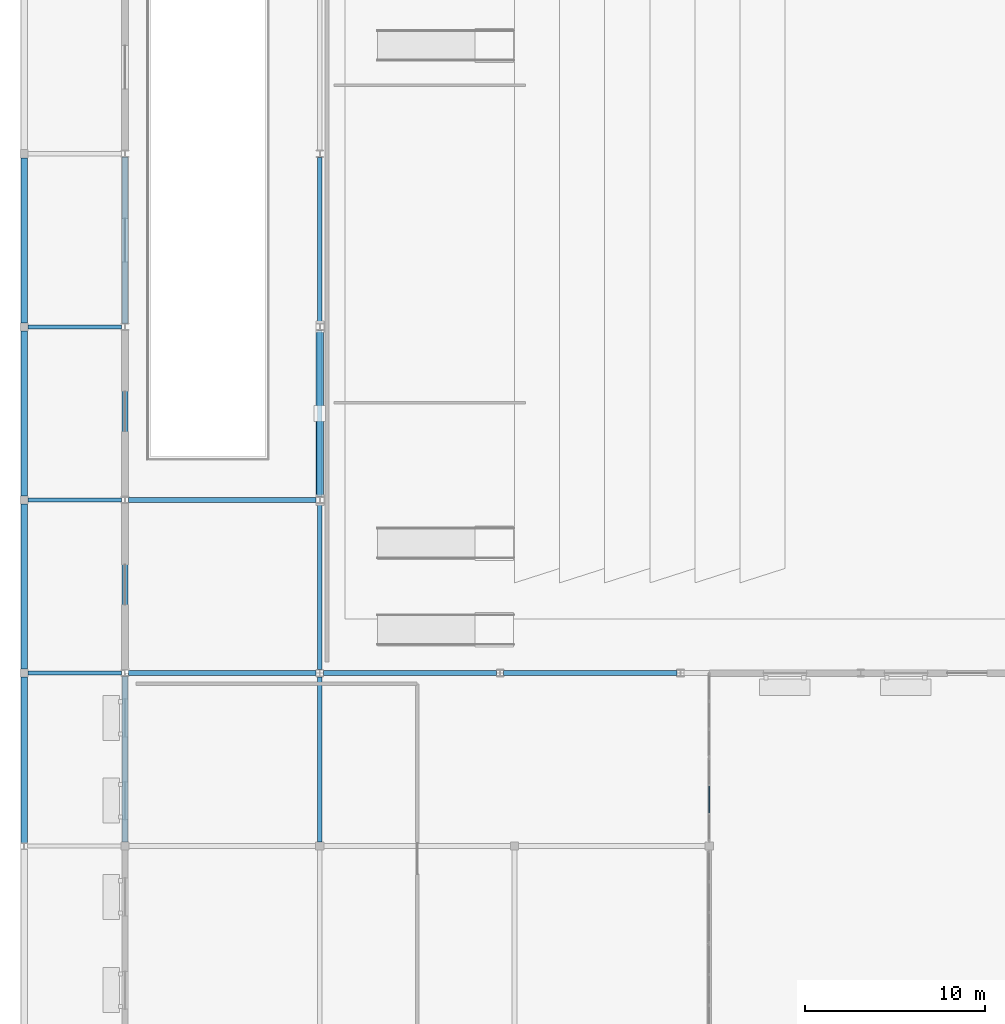
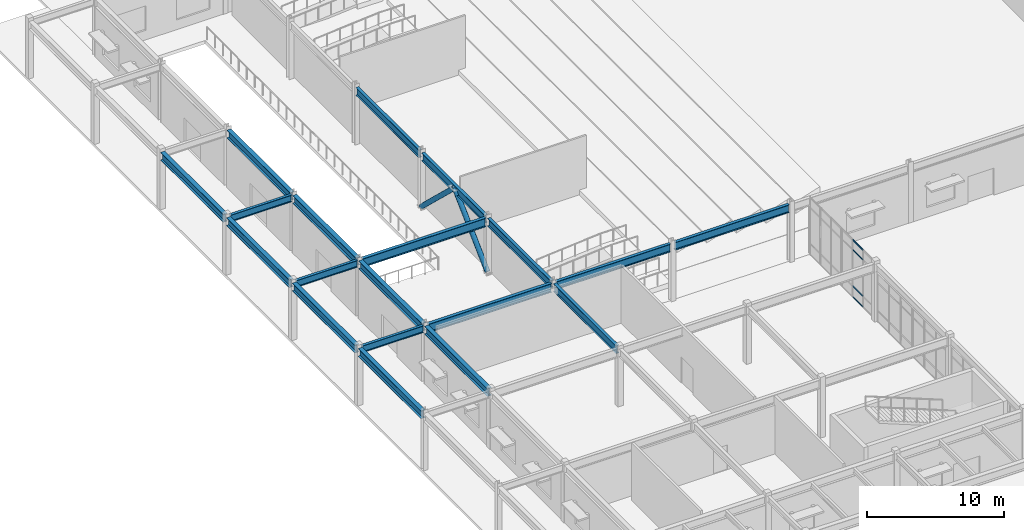
# One storey, part 12 of 54: 19 beams, 6 members, 1 element without a shape of its own.
"""IFC4 building model written with IfcOpenShell, lengths in metres."""

import ifcopenshell
import ifcopenshell.guid

model = None  # the IFC model being written
_history = None  # IfcOwnerHistory: only IFC2X3 demands one
_inside = {}  # id of a spatial element -> (the spatial element, [elements in it])
_under = {}  # id of a project, library or spatial element -> (it, [spatial elements below it])
_declared = {}  # id of a project -> (the project, [libraries it declares])
_typed = {}  # id of a type object -> (the type object, [elements of that type])
_made_of = {}  # id of a material, layer set ... -> (it, [elements and type objects made of it])


def new_model(schema):
    """Start an empty IFC model of exactly this schema.

    Asked for "IFC4X3", IfcOpenShell would pick the latest addendum, in which some entities
    have other attributes; the version numbers below select the first issue.
    IFC2X3 requires an IfcOwnerHistory on every rooted entity: one is made here for all.
    """
    global model, _history
    if schema == "IFC4X3":
        model = ifcopenshell.file(schema_version=(4, 3, 0, 0))
    else:
        model = ifcopenshell.file(schema=schema)
    _inside.clear()
    _under.clear()
    _declared.clear()
    _typed.clear()
    _made_of.clear()
    _history = None
    if model.schema == "IFC2X3":
        org = make("IfcOrganization", Name="unknown")
        user = make(
            "IfcPersonAndOrganization",
            ThePerson=make("IfcPerson", FamilyName="unknown"),
            TheOrganization=org,
        )
        app = make(
            "IfcApplication",
            ApplicationDeveloper=org,
            Version="unknown",
            ApplicationFullName="unknown",
            ApplicationIdentifier="unknown",
        )
        _history = make(
            "IfcOwnerHistory",
            OwningUser=user,
            OwningApplication=app,
            ChangeAction="ADDED",
            CreationDate=0,
        )
    return model


def make(cls, **values):
    """One entity of the class cls with the attributes given. An attribute that is None is left unset."""
    return model.create_entity(
        cls, **{name: value for name, value in values.items() if value is not None}
    )


def rooted(cls, **values):
    """An entity with a GlobalId (a new one), such as an element, a storey or a relation."""
    return make(cls, GlobalId=ifcopenshell.guid.new(), OwnerHistory=_history, **values)


def si_unit(unit_type, name, prefix=None):
    """IfcSIUnit, for example si_unit("LENGTHUNIT", "METRE", prefix="MILLI")."""
    return make("IfcSIUnit", UnitType=unit_type, Prefix=prefix, Name=name)


def assignment(units):
    """IfcUnitAssignment: the units of a project."""
    return None if units is None else make("IfcUnitAssignment", Units=units)


def point(xyz):
    """IfcCartesianPoint."""
    return None if xyz is None else make("IfcCartesianPoint", Coordinates=xyz)


def direction(xyz):
    """IfcDirection."""
    return None if xyz is None else make("IfcDirection", DirectionRatios=xyz)


def frame(location, z_axis=None, x_axis=None):
    """IfcAxis2Placement3D, a coordinate frame: its origin and axes. An axis left out is left unset."""
    return make(
        "IfcAxis2Placement3D",
        Location=point(location),
        Axis=direction(z_axis),
        RefDirection=direction(x_axis),
    )


def frame_2d(location, x_axis=None):
    """IfcAxis2Placement2D, a coordinate frame in the plane: its origin and x axis."""
    return make(
        "IfcAxis2Placement2D", Location=point(location), RefDirection=direction(x_axis)
    )


def origin():
    """The frame at (0, 0, 0) with its axes left unset."""
    return frame((0.0, 0.0, 0.0))


def origin_2d():
    """The frame at (0, 0) in the plane with its x axis left unset."""
    return frame_2d((0.0, 0.0))


def place(relative_to, where):
    """IfcLocalPlacement: puts the frame where relative to a parent placement (None: the world)."""
    return make(
        "IfcLocalPlacement", PlacementRelTo=relative_to, RelativePlacement=where
    )


def context(
    kind, dimensions, precision=None, world=None, true_north=None, identifier=None
):
    """IfcGeometricRepresentationContext, for example the 3D "Model" context."""
    return make(
        "IfcGeometricRepresentationContext",
        ContextIdentifier=identifier,
        ContextType=kind,
        CoordinateSpaceDimension=dimensions,
        Precision=precision,
        WorldCoordinateSystem=world,
        TrueNorth=true_north,
    )


def subcontext(parent, identifier, kind, view, scale=None):
    """IfcGeometricRepresentationSubContext, for example "Body" below "Model"."""
    return make(
        "IfcGeometricRepresentationSubContext",
        ContextIdentifier=identifier,
        ContextType=kind,
        ParentContext=parent,
        TargetScale=scale,
        TargetView=view,
    )


def project(units=None, contexts=None):
    """IfcProject with its units and contexts."""
    return rooted(
        "IfcProject",
        Name="project",
        RepresentationContexts=contexts,
        UnitsInContext=assignment(units),
    )


def spatial(cls, under=None, at=None, **own):
    """A site, building, storey or space (cls), placed at a placement, below another one or the project."""
    s = rooted(cls, ObjectPlacement=at, **own)
    if under is not None:
        _under.setdefault(under.id(), (under, []))[1].append(s)
    return s


def profile(cls, at=None, kind="AREA", **sizes):
    """A parametric profile (cls). Its sizes go by their IFC names, for example OverallWidth=200.0."""
    return make(cls, ProfileType=kind, Position=at, **sizes)


def rectangle(**sizes):
    """IfcRectangleProfileDef."""
    return profile("IfcRectangleProfileDef", **sizes)


def hollow_circle(**sizes):
    """IfcCircleHollowProfileDef."""
    return profile("IfcCircleHollowProfileDef", **sizes)


def i_section(**sizes):
    """IfcIShapeProfileDef."""
    return profile("IfcIShapeProfileDef", **sizes)


def extrude(swept, where, along, depth):
    """IfcExtrudedAreaSolid: the profile swept, set in the frame where, extruded along a direction by depth."""
    return make(
        "IfcExtrudedAreaSolid",
        SweptArea=swept,
        Position=where,
        ExtrudedDirection=direction(along),
        Depth=depth,
    )


def shape(context_of_items, identifier, shape_type, items):
    """IfcShapeRepresentation: the items that make up one representation, for example the "Body"."""
    return make(
        "IfcShapeRepresentation",
        ContextOfItems=context_of_items,
        RepresentationIdentifier=identifier,
        RepresentationType=shape_type,
        Items=items,
    )


def material(Name=None, Category=None):
    """IfcMaterial."""
    return make("IfcMaterial", Name=Name, Category=Category)


def material_profile(
    of_material, cross_section, Name=None, Category=None, Priority=None
):
    """IfcMaterialProfile: a cross section and its material."""
    return make(
        "IfcMaterialProfile",
        Name=Name,
        Material=of_material,
        Profile=cross_section,
        Priority=Priority,
        Category=Category,
    )


def profile_set(profiles, Name=None, composite=None):
    """IfcMaterialProfileSet."""
    return make(
        "IfcMaterialProfileSet",
        Name=Name,
        MaterialProfiles=profiles,
        CompositeProfile=composite,
    )


def made_of(thing, what):
    """Note that an element or type object is made of a material, layer set ...; save() writes the relation."""
    if what is not None:
        _made_of.setdefault(what.id(), (what, []))[1].append(thing)
    return thing


def type_object(cls, material=None, **own):
    """A type object (cls), such as IfcWallType, which elements share."""
    return made_of(rooted(cls, **own), material)


def element(
    cls,
    number,
    at=None,
    inside=None,
    cuts=None,
    type_object=None,
    material=None,
    context=None,
    identifier="Body",
    shape_type=None,
    held_by="IfcProductDefinitionShape",
    body=None,
    shapes=None,
    **own,
):
    """One element of the class cls, such as IfcWall. Its Tag is "e" and its number.

    at: its placement. inside: the storey or other place that contains it. cuts: it is an
    opening in that element (IfcRelVoidsElement). A single representation is given by context,
    identifier, shape_type and body (its items); several are given by shapes. held_by: the class
    of the entity that holds the representations. save() writes the other relations.
    """
    e = rooted(cls, Tag="e%d" % number, ObjectPlacement=at, **own)
    if body is not None:
        shapes = [shape(context, identifier, shape_type, body)]
    if shapes is not None:
        e.Representation = make(held_by, Representations=shapes)
    if inside is not None:
        _inside.setdefault(inside.id(), (inside, []))[1].append(e)
    if cuts is not None:
        rooted(
            "IfcRelVoidsElement", RelatingBuildingElement=cuts, RelatedOpeningElement=e
        )
    if type_object is not None:
        _typed.setdefault(type_object.id(), (type_object, []))[1].append(e)
    return made_of(e, material)


def aggregate(whole, parts):
    """IfcRelAggregates: a whole, such as a stair, and the parts it consists of."""
    return rooted("IfcRelAggregates", RelatingObject=whole, RelatedObjects=parts)


def save(model, path):
    """Write the relations noted so far, then the file.

    IfcRelAggregates (storeys below a building ...), IfcRelContainedInSpatialStructure (elements
    in a storey), IfcRelDefinesByType, IfcRelAssociatesMaterial and IfcRelDeclares: one each for
    every whole, place, type object, material and project.
    """
    for whole, parts in _under.values():
        aggregate(whole, parts)
    for where, things in _inside.values():
        rooted(
            "IfcRelContainedInSpatialStructure",
            RelatedElements=things,
            RelatingStructure=where,
        )
    for kind, things in _typed.values():
        rooted("IfcRelDefinesByType", RelatedObjects=things, RelatingType=kind)
    for what, things in _made_of.values():
        rooted("IfcRelAssociatesMaterial", RelatedObjects=things, RelatingMaterial=what)
    for by, libraries in _declared.values():
        rooted("IfcRelDeclares", RelatingContext=by, RelatedDefinitions=libraries)
    model.write(path)


model = new_model("IFC4")

# Units and contexts
model_context = context("Model", 3, precision=1e-05, world=origin(), true_north=direction((0.0, 1.0)))
body_context = subcontext(model_context, "Body", "Model", "MODEL_VIEW")
ifc_project = project(units=[si_unit("LENGTHUNIT", "METRE"), si_unit("AREAUNIT", "SQUARE_METRE"), si_unit("VOLUMEUNIT", "CUBIC_METRE"), si_unit("PLANEANGLEUNIT", "RADIAN"), si_unit("MASSUNIT", "GRAM", prefix="KILO")], contexts=[model_context])

# Site, building, storey
site_placement = place(None, origin())
site = spatial("IfcSite", under=ifc_project, at=site_placement, CompositionType="ELEMENT")
building_placement = place(site_placement, origin())
building = spatial("IfcBuilding", under=site, at=building_placement, Name="Veldera Park Congress Hotel", CompositionType="ELEMENT")
storey_placement = place(building_placement, origin())
storey = spatial("IfcBuildingStorey", under=building, at=storey_placement, Name="L00", CompositionType="ELEMENT", Elevation=0.0)

# Beams
ifc_material_1 = material(Name="Steel ASTM A992 Gr.50", Category="steel")
ifc_material_profile_1 = material_profile(ifc_material_1, i_section(OverallWidth=0.22900390625, OverallDepth=0.612060546875, WebThickness=0.011962890625, FlangeThickness=0.01953125, at=origin_2d()), Name="W24X84")
ifc_profile_set_1 = profile_set([ifc_material_profile_1], Name="Steel ASTM A992 Gr.50")
beam_type_1 = type_object("IfcBeamType", Name="BM-W24", PredefinedType="BEAM", material=ifc_profile_set_1)
for number, where, z_axis, x_axis, name in (
    (1, (-83.574951171875, -21.0, 4.81396484375), (1.0, 0.0, 0.0), (0.0, 1.0, 0.0), "L00 Girder BM-W24 299"),
    (2, (-83.574951171875, -11.39990234375, 4.81396484375), (1.0, 0.0, 0.0), (0.0, 1.0, 0.0), "L00 Girder BM-W24 310"),
    (3, (-83.574951171875, -1.800048828125, 4.81396484375), (1.0, 0.0, 0.0), (0.0, 1.0, 0.0), "L00 Girder BM-W24 314"),
):
    element("IfcBeam", number, at=place(storey_placement, frame(where, z_axis=z_axis, x_axis=x_axis)), inside=storey, type_object=beam_type_1, Name=name, PredefinedType="BEAM", context=body_context, shape_type="SweptSolid", body=[
        extrude(i_section(OverallWidth=0.22900390625, OverallDepth=0.612060546875, WebThickness=0.011962890625, FlangeThickness=0.01953125, at=origin_2d()), origin(), (0.0, 0.0, 1.0), 5.177001953125),
    ])
ifc_material_profile_2 = material_profile(ifc_material_1, i_section(OverallWidth=0.256103515625, OverallDepth=0.693115234375, WebThickness=0.014404296875, FlangeThickness=0.023681640625, at=origin_2d()), Name="W27X114")
ifc_profile_set_2 = profile_set([ifc_material_profile_2], Name="Steel ASTM A992 Gr.50")
beam_type_2 = type_object("IfcBeamType", Name="BM-W27", PredefinedType="BEAM", material=ifc_profile_set_2)
beam_1_placement = place(storey_placement, frame((-67.39990234375, -30.375, 4.7734375), z_axis=(0.0, 1.0, 0.0), x_axis=(-1.0, 0.0, 0.0)))
element("IfcBeam", 4, at=beam_1_placement, inside=storey, type_object=beam_type_2, Name="L00 Girder BM-W27 405", PredefinedType="BEAM", context=body_context, shape_type="SweptSolid", body=[
    extrude(i_section(OverallWidth=0.256103515625, OverallDepth=0.693115234375, WebThickness=0.014404296875, FlangeThickness=0.023681640625, at=origin_2d()), origin(), (0.0, 0.0, 1.0), 9.1669921875),
])
beam_2_placement = place(storey_placement, frame((-67.39990234375, -20.7919921875, 4.7734375), z_axis=(0.0, 1.0, 0.0), x_axis=(-1.0, 0.0, 0.0)))
element("IfcBeam", 5, at=beam_2_placement, inside=storey, type_object=beam_type_2, Name="L00 Girder BM-W27 406", PredefinedType="BEAM", context=body_context, shape_type="SweptSolid", body=[
    extrude(i_section(OverallWidth=0.256103515625, OverallDepth=0.693115234375, WebThickness=0.014404296875, FlangeThickness=0.023681640625, at=origin_2d()), origin(), (0.0, 0.0, 1.0), 9.1884765625),
])
beam_3_placement = place(storey_placement, frame((-67.39990234375, -11.196533203125, 4.7734375), z_axis=(0.0, 1.0, 0.0), x_axis=(-1.0, 0.0, 0.0)))
element("IfcBeam", 6, at=beam_3_placement, inside=storey, type_object=beam_type_2, Name="L00 Girder BM-W27 407", PredefinedType="BEAM", context=body_context, shape_type="SweptSolid", body=[
    extrude(i_section(OverallWidth=0.256103515625, OverallDepth=0.693115234375, WebThickness=0.014404296875, FlangeThickness=0.023681640625, at=origin_2d()), origin(), (0.0, 0.0, 1.0), 9.193115234375),
])
beam_4_placement = place(storey_placement, frame((-67.39990234375, -1.596435546875, 4.7734375), z_axis=(0.0, 1.0, 0.0), x_axis=(-1.0, 0.0, 0.0)))
element("IfcBeam", 7, at=beam_4_placement, inside=storey, type_object=beam_type_2, Name="L00 Girder BM-W27 408", PredefinedType="BEAM", context=body_context, shape_type="SweptSolid", body=[
    extrude(i_section(OverallWidth=0.256103515625, OverallDepth=0.693115234375, WebThickness=0.014404296875, FlangeThickness=0.023681640625, at=origin_2d()), origin(), (0.0, 0.0, 1.0), 9.19287109375),
])
ifc_material_profile_3 = material_profile(ifc_material_1, i_section(OverallWidth=0.25390625, OverallDepth=0.700927734375, WebThickness=0.015380859375, FlangeThickness=0.02783203125, at=origin_2d()), Name="W27X129")
ifc_profile_set_3 = profile_set([ifc_material_profile_3], Name="Steel ASTM A992 Gr.50")
beam_type_3 = type_object("IfcBeamType", Name="BM-W27B", PredefinedType="BEAM", material=ifc_profile_set_3)
beam_5_placement = place(storey_placement, frame((-67.197021484375, -21.0, 4.76953125), z_axis=(1.0, 0.0, 0.0), x_axis=(0.0, 1.0, 0.0)))
element("IfcBeam", 8, at=beam_5_placement, inside=storey, type_object=beam_type_3, Name="L00 Girder BM-W27B 301", PredefinedType="BEAM", context=body_context, shape_type="SweptSolid", body=[
    extrude(i_section(OverallWidth=0.25390625, OverallDepth=0.700927734375, WebThickness=0.015380859375, FlangeThickness=0.02783203125, at=origin_2d()), origin(), (0.0, 0.0, 1.0), 9.597412109375),
])
beam_6_placement = place(storey_placement, frame((-57.200439453125, -21.0, 4.76953125), z_axis=(1.0, 0.0, 0.0), x_axis=(0.0, 1.0, 0.0)))
element("IfcBeam", 9, at=beam_6_placement, inside=storey, type_object=beam_type_3, Name="L00 Girder BM-W27B 302", PredefinedType="BEAM", context=body_context, shape_type="SweptSolid", body=[
    extrude(i_section(OverallWidth=0.25390625, OverallDepth=0.700927734375, WebThickness=0.015380859375, FlangeThickness=0.02783203125, at=origin_2d()), origin(), (0.0, 0.0, 1.0), 9.600830078125),
])
ifc_material_profile_4 = material_profile(ifc_material_1, i_section(OverallWidth=0.35498046875, OverallDepth=0.696044921875, WebThickness=0.015380859375, FlangeThickness=0.02490234375, at=origin_2d()), Name="W27X146")
ifc_profile_set_4 = profile_set([ifc_material_profile_4], Name="Steel ASTM A992 Gr.50")
beam_type_4 = type_object("IfcBeamType", Name="BM-W27E", PredefinedType="BEAM", material=ifc_profile_set_4)
beam_7_placement = place(storey_placement, frame((-83.800048828125, -30.41796875, 4.77197265625), z_axis=(0.0, 1.0, 0.0), x_axis=(-1.0, 0.0, 0.0)))
element("IfcBeam", 10, at=beam_7_placement, inside=storey, type_object=beam_type_4, Name="L00 Girder BM-W27E 387", PredefinedType="BEAM", context=body_context, shape_type="SweptSolid", body=[
    extrude(i_section(OverallWidth=0.35498046875, OverallDepth=0.696044921875, WebThickness=0.015380859375, FlangeThickness=0.02490234375, at=origin_2d()), origin(), (0.0, 0.0, 1.0), 9.19287109375),
])
beam_8_placement = place(storey_placement, frame((-83.800048828125, -20.77490234375, 4.77197265625), z_axis=(0.0, 1.0, 0.0), x_axis=(-1.0, 0.0, 0.0)))
element("IfcBeam", 11, at=beam_8_placement, inside=storey, type_object=beam_type_4, Name="L00 Girder BM-W27E 388", PredefinedType="BEAM", context=body_context, shape_type="SweptSolid", body=[
    extrude(i_section(OverallWidth=0.35498046875, OverallDepth=0.696044921875, WebThickness=0.015380859375, FlangeThickness=0.02490234375, at=origin_2d()), origin(), (0.0, 0.0, 1.0), 9.14990234375),
])
beam_9_placement = place(storey_placement, frame((-83.800048828125, -11.175048828125, 4.77197265625), z_axis=(0.0, 1.0, 0.0), x_axis=(-1.0, 0.0, 0.0)))
element("IfcBeam", 12, at=beam_9_placement, inside=storey, type_object=beam_type_4, Name="L00 Girder BM-W27E 389", PredefinedType="BEAM", context=body_context, shape_type="SweptSolid", body=[
    extrude(i_section(OverallWidth=0.35498046875, OverallDepth=0.696044921875, WebThickness=0.015380859375, FlangeThickness=0.02490234375, at=origin_2d()), origin(), (0.0, 0.0, 1.0), 9.150146484375),
])
beam_10_placement = place(storey_placement, frame((-83.800048828125, -1.574951171875, 4.77197265625), z_axis=(0.0, 1.0, 0.0), x_axis=(-1.0, 0.0, 0.0)))
element("IfcBeam", 13, at=beam_10_placement, inside=storey, type_object=beam_type_4, Name="L00 Girder BM-W27E 390", PredefinedType="BEAM", context=body_context, shape_type="SweptSolid", body=[
    extrude(i_section(OverallWidth=0.35498046875, OverallDepth=0.696044921875, WebThickness=0.015380859375, FlangeThickness=0.02490234375, at=origin_2d()), origin(), (0.0, 0.0, 1.0), 9.14990234375),
])
beam_11_placement = place(storey_placement, frame((-78.199951171875, -30.375, 4.77197265625), z_axis=(0.0, 1.0, 0.0), x_axis=(-1.0, 0.0, 0.0)))
element("IfcBeam", 14, at=beam_11_placement, inside=storey, type_object=beam_type_4, Name="L00 Girder BM-W27E 396", PredefinedType="BEAM", context=body_context, shape_type="SweptSolid", body=[
    extrude(i_section(OverallWidth=0.35498046875, OverallDepth=0.696044921875, WebThickness=0.015380859375, FlangeThickness=0.02490234375, at=origin_2d()), origin(), (0.0, 0.0, 1.0), 9.1845703125),
])
for number, where, z_axis, x_axis, name in (
    (15, (-78.199951171875, -20.8095703125, 4.77197265625), (0.0, 1.0, 0.0), (-1.0, 0.0, 0.0), "L00 Girder BM-W27E 397"),
    (16, (-78.199951171875, -11.20947265625, 4.77197265625), (0.0, 1.0, 0.0), (-1.0, 0.0, 0.0), "L00 Girder BM-W27E 398"),
):
    element("IfcBeam", number, at=place(storey_placement, frame(where, z_axis=z_axis, x_axis=x_axis)), inside=storey, type_object=beam_type_4, Name=name, PredefinedType="BEAM", context=body_context, shape_type="SweptSolid", body=[
        extrude(i_section(OverallWidth=0.35498046875, OverallDepth=0.696044921875, WebThickness=0.015380859375, FlangeThickness=0.02490234375, at=origin_2d()), origin(), (0.0, 0.0, 1.0), 9.218994140625),
    ])
beam_12_placement = place(storey_placement, frame((-78.199951171875, -1.609619140625, 4.77197265625), z_axis=(0.0, 1.0, 0.0), x_axis=(-1.0, 0.0, 0.0)))
element("IfcBeam", 17, at=beam_12_placement, inside=storey, type_object=beam_type_4, Name="L00 Girder BM-W27E 399", PredefinedType="BEAM", context=body_context, shape_type="SweptSolid", body=[
    extrude(i_section(OverallWidth=0.35498046875, OverallDepth=0.696044921875, WebThickness=0.015380859375, FlangeThickness=0.02490234375, at=origin_2d()), origin(), (0.0, 0.0, 1.0), 9.21923828125),
])
ifc_material_profile_5 = material_profile(ifc_material_1, i_section(OverallWidth=0.26708984375, OverallDepth=0.779052734375, WebThickness=0.0166015625, FlangeThickness=0.030029296875, at=origin_2d()), Name="W30X148")
ifc_profile_set_5 = profile_set([ifc_material_profile_5], Name="Steel ASTM A992 Gr.50")
beam_type_5 = type_object("IfcBeamType", Name="BM-W30", PredefinedType="BEAM", material=ifc_profile_set_5)
beam_13_placement = place(storey_placement, frame((-78.001953125, -21.0, 4.73046875), z_axis=(1.0, 0.0, 0.0), x_axis=(0.0, 1.0, 0.0)))
element("IfcBeam", 18, at=beam_13_placement, inside=storey, type_object=beam_type_5, Name="L00 Girder BM-W30 300", PredefinedType="BEAM", context=body_context, shape_type="SweptSolid", body=[
    extrude(i_section(OverallWidth=0.26708984375, OverallDepth=0.779052734375, WebThickness=0.0166015625, FlangeThickness=0.030029296875, at=origin_2d()), origin(), (0.0, 0.0, 1.0), 10.39892578125),
])
beam_14_placement = place(storey_placement, frame((-78.001953125, -11.39990234375, 4.73046875), z_axis=(1.0, 0.0, 0.0), x_axis=(0.0, 1.0, 0.0)))
element("IfcBeam", 19, at=beam_14_placement, inside=storey, type_object=beam_type_5, Name="L00 Girder BM-W30 311", PredefinedType="BEAM", context=body_context, shape_type="SweptSolid", body=[
    extrude(i_section(OverallWidth=0.26708984375, OverallDepth=0.779052734375, WebThickness=0.0166015625, FlangeThickness=0.030029296875, at=origin_2d()), origin(), (0.0, 0.0, 1.0), 10.39990234375),
])

# Members
ifc_material_2 = material(Name="Steel ASTM A500 Gr.C", Category="steel")
ifc_material_profile_6 = material_profile(ifc_material_2, hollow_circle(Radius=0.203125, WallThickness=0.02001953125, at=origin_2d()), Name="CHS 406.4x20")
ifc_profile_set_6 = profile_set([ifc_material_profile_6], Name="Steel ASTM A500 Gr.C")
member_type_1 = type_object("IfcMemberType", Name="BRC-CHS406", PredefinedType="BRACE", material=ifc_profile_set_6)
member_1_placement = place(storey_placement, frame((-67.39990234375, -11.39990234375, 0.199951171875), z_axis=(0.0, 0.723968893334, 0.689832618455), x_axis=(-1.0, 0.0, 0.0)))
element("IfcMember", 20, at=member_1_placement, inside=storey, type_object=member_type_1, Name="L00 Chevron Brace 5A", PredefinedType="BRACE", context=body_context, shape_type="SweptSolid", body=[
    extrude(hollow_circle(Radius=0.203125, WallThickness=0.02001953125, at=origin_2d()), origin(), (0.0, 0.0, 1.0), 6.6298828125),
])
member_2_placement = place(storey_placement, frame((-67.39990234375, -1.800048828125, 0.199951171875), z_axis=(0.0, -0.723986416254, 0.689814227948), x_axis=(1.0, 0.0, 0.0)))
element("IfcMember", 21, at=member_2_placement, inside=storey, type_object=member_type_1, Name="L00 Chevron Brace 5B", PredefinedType="BRACE", context=body_context, shape_type="SweptSolid", body=[
    extrude(hollow_circle(Radius=0.203125, WallThickness=0.02001953125, at=origin_2d()), origin(), (0.0, 0.0, 1.0), 6.630126953125),
])

# Curtain wall, members
ifc_material_3 = material(Name="Low-E Triple Insulating Glass Unit (SHGC 0.22)", Category="glass")
curtain_wall_type = type_object("IfcCurtainWallType", Name="CW-SPA", PredefinedType="NOTDEFINED", material=ifc_material_3)
curtain_wall_placement = place(storey_placement, origin())
curtain_wall = element("IfcCurtainWall", 22, at=curtain_wall_placement, inside=storey, type_object=curtain_wall_type, Name="L00 Curtain Wall CW3-V3E-L00-009", PredefinedType="NOTDEFINED")
ifc_material_4 = material(Name="Anodised Aluminium Alloy 6063-T6", Category="aluminium")
ifc_material_profile_7 = material_profile(ifc_material_4, rectangle(XDim=0.06005859375, YDim=0.1201171875, at=origin_2d()), Name="ALU 60x120")
ifc_profile_set_7 = profile_set([ifc_material_profile_7], Name="Anodised Aluminium Alloy 6063-T6")
member_type_2 = type_object("IfcMemberType", Name="CWT-120", PredefinedType="USERDEFINED", material=ifc_profile_set_7)
member_3_placement = place(storey_placement, frame((-45.800048828125, -28.756591796875, 0.030029296875), z_axis=(0.0, 1.0, 0.0), x_axis=(-1.0, 0.0, 0.0)))
member_3 = element("IfcMember", 23, at=member_3_placement, type_object=member_type_2, Name="CW-SPA transom 2.1", ObjectType="TRANSOM", PredefinedType="USERDEFINED", context=body_context, shape_type="SweptSolid", body=[
    extrude(rectangle(XDim=0.06005859375, YDim=0.1201171875, at=origin_2d()), origin(), (0.0, 0.0, 1.0), 1.48828125),
])
member_4_placement = place(storey_placement, frame((-45.800048828125, -28.756591796875, 1.0), z_axis=(0.0, 1.0, 0.0), x_axis=(-1.0, 0.0, 0.0)))
member_4 = element("IfcMember", 24, at=member_4_placement, type_object=member_type_2, Name="CW-SPA transom 2.2", ObjectType="TRANSOM", PredefinedType="USERDEFINED", context=body_context, shape_type="SweptSolid", body=[
    extrude(rectangle(XDim=0.06005859375, YDim=0.1201171875, at=origin_2d()), origin(), (0.0, 0.0, 1.0), 1.48828125),
])
member_5_placement = place(storey_placement, frame((-45.800048828125, -28.756591796875, 4.219970703125), z_axis=(0.0, 1.0, 0.0), x_axis=(-1.0, 0.0, 0.0)))
member_5 = element("IfcMember", 25, at=member_5_placement, type_object=member_type_2, Name="CW-SPA transom 2.3", ObjectType="TRANSOM", PredefinedType="USERDEFINED", context=body_context, shape_type="SweptSolid", body=[
    extrude(rectangle(XDim=0.06005859375, YDim=0.1201171875, at=origin_2d()), origin(), (0.0, 0.0, 1.0), 1.48828125),
])
member_6_placement = place(storey_placement, frame((-45.800048828125, -28.756591796875, 5.090087890625), z_axis=(0.0, 1.0, 0.0), x_axis=(-1.0, 0.0, 0.0)))
member_6 = element("IfcMember", 26, at=member_6_placement, type_object=member_type_2, Name="CW-SPA transom 2.4", ObjectType="TRANSOM", PredefinedType="USERDEFINED", context=body_context, shape_type="SweptSolid", body=[
    extrude(rectangle(XDim=0.06005859375, YDim=0.1201171875, at=origin_2d()), origin(), (0.0, 0.0, 1.0), 1.48828125),
])
aggregate(curtain_wall, [member_3, member_4, member_5, member_6])

save(model, "model.ifc")
